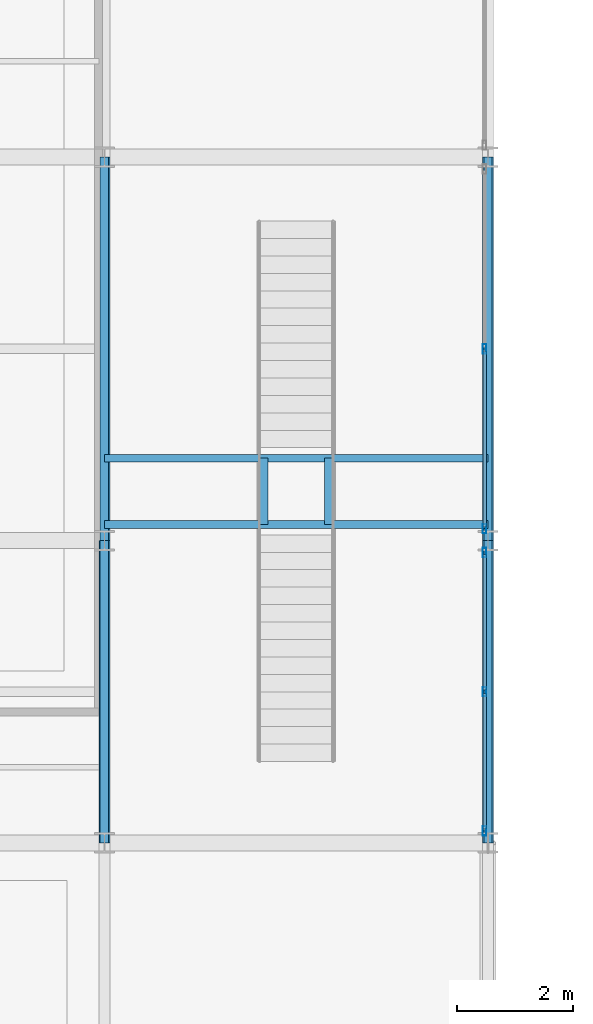
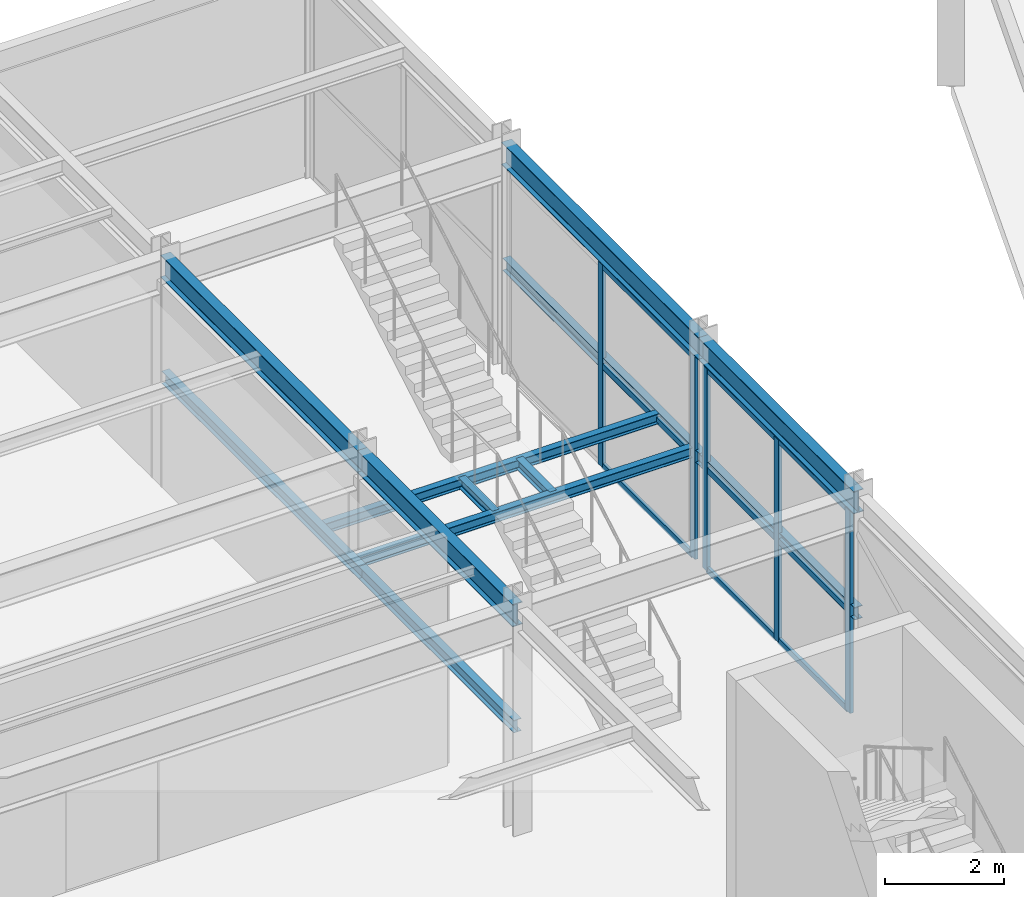
# One storey, part 40 of 144: 14 members, 12 beams, 2 elements without a shape of their own.
"""IFC4 building model written with IfcOpenShell, lengths in metres."""

import ifcopenshell
import ifcopenshell.guid

model = None  # the IFC model being written
_history = None  # IfcOwnerHistory: only IFC2X3 demands one
_inside = {}  # id of a spatial element -> (the spatial element, [elements in it])
_under = {}  # id of a project, library or spatial element -> (it, [spatial elements below it])
_declared = {}  # id of a project -> (the project, [libraries it declares])
_typed = {}  # id of a type object -> (the type object, [elements of that type])
_made_of = {}  # id of a material, layer set ... -> (it, [elements and type objects made of it])


def new_model(schema):
    """Start an empty IFC model of exactly this schema.

    Asked for "IFC4X3", IfcOpenShell would pick the latest addendum, in which some entities
    have other attributes; the version numbers below select the first issue.
    IFC2X3 requires an IfcOwnerHistory on every rooted entity: one is made here for all.
    """
    global model, _history
    if schema == "IFC4X3":
        model = ifcopenshell.file(schema_version=(4, 3, 0, 0))
    else:
        model = ifcopenshell.file(schema=schema)
    _inside.clear()
    _under.clear()
    _declared.clear()
    _typed.clear()
    _made_of.clear()
    _history = None
    if model.schema == "IFC2X3":
        org = make("IfcOrganization", Name="unknown")
        user = make(
            "IfcPersonAndOrganization",
            ThePerson=make("IfcPerson", FamilyName="unknown"),
            TheOrganization=org,
        )
        app = make(
            "IfcApplication",
            ApplicationDeveloper=org,
            Version="unknown",
            ApplicationFullName="unknown",
            ApplicationIdentifier="unknown",
        )
        _history = make(
            "IfcOwnerHistory",
            OwningUser=user,
            OwningApplication=app,
            ChangeAction="ADDED",
            CreationDate=0,
        )
    return model


def make(cls, **values):
    """One entity of the class cls with the attributes given. An attribute that is None is left unset."""
    return model.create_entity(
        cls, **{name: value for name, value in values.items() if value is not None}
    )


def rooted(cls, **values):
    """An entity with a GlobalId (a new one), such as an element, a storey or a relation."""
    return make(cls, GlobalId=ifcopenshell.guid.new(), OwnerHistory=_history, **values)


def si_unit(unit_type, name, prefix=None):
    """IfcSIUnit, for example si_unit("LENGTHUNIT", "METRE", prefix="MILLI")."""
    return make("IfcSIUnit", UnitType=unit_type, Prefix=prefix, Name=name)


def assignment(units):
    """IfcUnitAssignment: the units of a project."""
    return None if units is None else make("IfcUnitAssignment", Units=units)


def point(xyz):
    """IfcCartesianPoint."""
    return None if xyz is None else make("IfcCartesianPoint", Coordinates=xyz)


def direction(xyz):
    """IfcDirection."""
    return None if xyz is None else make("IfcDirection", DirectionRatios=xyz)


def frame(location, z_axis=None, x_axis=None):
    """IfcAxis2Placement3D, a coordinate frame: its origin and axes. An axis left out is left unset."""
    return make(
        "IfcAxis2Placement3D",
        Location=point(location),
        Axis=direction(z_axis),
        RefDirection=direction(x_axis),
    )


def frame_2d(location, x_axis=None):
    """IfcAxis2Placement2D, a coordinate frame in the plane: its origin and x axis."""
    return make(
        "IfcAxis2Placement2D", Location=point(location), RefDirection=direction(x_axis)
    )


def origin():
    """The frame at (0, 0, 0) with its axes left unset."""
    return frame((0.0, 0.0, 0.0))


def origin_2d():
    """The frame at (0, 0) in the plane with its x axis left unset."""
    return frame_2d((0.0, 0.0))


def place(relative_to, where):
    """IfcLocalPlacement: puts the frame where relative to a parent placement (None: the world)."""
    return make(
        "IfcLocalPlacement", PlacementRelTo=relative_to, RelativePlacement=where
    )


def context(
    kind, dimensions, precision=None, world=None, true_north=None, identifier=None
):
    """IfcGeometricRepresentationContext, for example the 3D "Model" context."""
    return make(
        "IfcGeometricRepresentationContext",
        ContextIdentifier=identifier,
        ContextType=kind,
        CoordinateSpaceDimension=dimensions,
        Precision=precision,
        WorldCoordinateSystem=world,
        TrueNorth=true_north,
    )


def subcontext(parent, identifier, kind, view, scale=None):
    """IfcGeometricRepresentationSubContext, for example "Body" below "Model"."""
    return make(
        "IfcGeometricRepresentationSubContext",
        ContextIdentifier=identifier,
        ContextType=kind,
        ParentContext=parent,
        TargetScale=scale,
        TargetView=view,
    )


def project(units=None, contexts=None):
    """IfcProject with its units and contexts."""
    return rooted(
        "IfcProject",
        Name="project",
        RepresentationContexts=contexts,
        UnitsInContext=assignment(units),
    )


def spatial(cls, under=None, at=None, **own):
    """A site, building, storey or space (cls), placed at a placement, below another one or the project."""
    s = rooted(cls, ObjectPlacement=at, **own)
    if under is not None:
        _under.setdefault(under.id(), (under, []))[1].append(s)
    return s


def profile(cls, at=None, kind="AREA", **sizes):
    """A parametric profile (cls). Its sizes go by their IFC names, for example OverallWidth=200.0."""
    return make(cls, ProfileType=kind, Position=at, **sizes)


def hollow_rectangle(**sizes):
    """IfcRectangleHollowProfileDef."""
    return profile("IfcRectangleHollowProfileDef", **sizes)


def i_section(**sizes):
    """IfcIShapeProfileDef."""
    return profile("IfcIShapeProfileDef", **sizes)


def extrude(swept, where, along, depth):
    """IfcExtrudedAreaSolid: the profile swept, set in the frame where, extruded along a direction by depth."""
    return make(
        "IfcExtrudedAreaSolid",
        SweptArea=swept,
        Position=where,
        ExtrudedDirection=direction(along),
        Depth=depth,
    )


def shape(context_of_items, identifier, shape_type, items):
    """IfcShapeRepresentation: the items that make up one representation, for example the "Body"."""
    return make(
        "IfcShapeRepresentation",
        ContextOfItems=context_of_items,
        RepresentationIdentifier=identifier,
        RepresentationType=shape_type,
        Items=items,
    )


def material(Name=None, Category=None):
    """IfcMaterial."""
    return make("IfcMaterial", Name=Name, Category=Category)


def material_profile(
    of_material, cross_section, Name=None, Category=None, Priority=None
):
    """IfcMaterialProfile: a cross section and its material."""
    return make(
        "IfcMaterialProfile",
        Name=Name,
        Material=of_material,
        Profile=cross_section,
        Priority=Priority,
        Category=Category,
    )


def profile_set(profiles, Name=None, composite=None):
    """IfcMaterialProfileSet."""
    return make(
        "IfcMaterialProfileSet",
        Name=Name,
        MaterialProfiles=profiles,
        CompositeProfile=composite,
    )


def made_of(thing, what):
    """Note that an element or type object is made of a material, layer set ...; save() writes the relation."""
    if what is not None:
        _made_of.setdefault(what.id(), (what, []))[1].append(thing)
    return thing


def type_object(cls, material=None, **own):
    """A type object (cls), such as IfcWallType, which elements share."""
    return made_of(rooted(cls, **own), material)


def element(
    cls,
    number,
    at=None,
    inside=None,
    cuts=None,
    type_object=None,
    material=None,
    context=None,
    identifier="Body",
    shape_type=None,
    held_by="IfcProductDefinitionShape",
    body=None,
    shapes=None,
    **own,
):
    """One element of the class cls, such as IfcWall. Its Tag is "e" and its number.

    at: its placement. inside: the storey or other place that contains it. cuts: it is an
    opening in that element (IfcRelVoidsElement). A single representation is given by context,
    identifier, shape_type and body (its items); several are given by shapes. held_by: the class
    of the entity that holds the representations. save() writes the other relations.
    """
    e = rooted(cls, Tag="e%d" % number, ObjectPlacement=at, **own)
    if body is not None:
        shapes = [shape(context, identifier, shape_type, body)]
    if shapes is not None:
        e.Representation = make(held_by, Representations=shapes)
    if inside is not None:
        _inside.setdefault(inside.id(), (inside, []))[1].append(e)
    if cuts is not None:
        rooted(
            "IfcRelVoidsElement", RelatingBuildingElement=cuts, RelatedOpeningElement=e
        )
    if type_object is not None:
        _typed.setdefault(type_object.id(), (type_object, []))[1].append(e)
    return made_of(e, material)


def aggregate(whole, parts):
    """IfcRelAggregates: a whole, such as a stair, and the parts it consists of."""
    return rooted("IfcRelAggregates", RelatingObject=whole, RelatedObjects=parts)


def save(model, path):
    """Write the relations noted so far, then the file.

    IfcRelAggregates (storeys below a building ...), IfcRelContainedInSpatialStructure (elements
    in a storey), IfcRelDefinesByType, IfcRelAssociatesMaterial and IfcRelDeclares: one each for
    every whole, place, type object, material and project.
    """
    for whole, parts in _under.values():
        aggregate(whole, parts)
    for where, things in _inside.values():
        rooted(
            "IfcRelContainedInSpatialStructure",
            RelatedElements=things,
            RelatingStructure=where,
        )
    for kind, things in _typed.values():
        rooted("IfcRelDefinesByType", RelatedObjects=things, RelatingType=kind)
    for what, things in _made_of.values():
        rooted("IfcRelAssociatesMaterial", RelatedObjects=things, RelatingMaterial=what)
    for by, libraries in _declared.values():
        rooted("IfcRelDeclares", RelatingContext=by, RelatedDefinitions=libraries)
    model.write(path)


model = new_model("IFC4")

# Units and contexts
model_context = context("Model", 3, precision=1e-05, world=origin(), true_north=direction((0.0, 1.0)))
body_context = subcontext(model_context, "Body", "Model", "MODEL_VIEW")
ifc_project = project(units=[si_unit("LENGTHUNIT", "METRE"), si_unit("AREAUNIT", "SQUARE_METRE"), si_unit("VOLUMEUNIT", "CUBIC_METRE"), si_unit("PLANEANGLEUNIT", "RADIAN"), si_unit("MASSUNIT", "GRAM", prefix="KILO")], contexts=[model_context])

# Site, building, storey
site_placement = place(None, origin())
site = spatial("IfcSite", under=ifc_project, at=site_placement, CompositionType="ELEMENT")
building_placement = place(site_placement, origin())
building = spatial("IfcBuilding", under=site, at=building_placement, Name="Karori Crest Natural Sciences Institute", CompositionType="ELEMENT")
storey_placement = place(building_placement, origin())
storey = spatial("IfcBuildingStorey", under=building, at=storey_placement, Name="L00", CompositionType="ELEMENT", Elevation=0.0)

# Beams
ifc_material_1 = material(Name="Structural steel AS/NZS 3679.1 Grade 350", Category="steel")
ifc_material_profile_1 = material_profile(ifc_material_1, i_section(OverallWidth=0.19091796875, OverallDepth=0.4599609375, WebThickness=0.010009765625, FlangeThickness=0.01611328125, FilletRadius=0.010986328125, at=origin_2d()), Name="460UB82.1")
ifc_profile_set_1 = profile_set([ifc_material_profile_1], Name="Structural steel AS/NZS 3679.1 Grade 350")
beam_type_1 = type_object("IfcBeamType", Name="BT-06", PredefinedType="BEAM", material=ifc_profile_set_1)
beam_1_placement = place(storey_placement, frame((20.60009765625, 55.0, 4.389892578125), z_axis=(0.0, 1.0, 0.0), x_axis=(-1.0, 0.0, 0.0)))
element("IfcBeam", 1, at=beam_1_placement, inside=storey, type_object=beam_type_1, Name="Beam B-0978", PredefinedType="BEAM", context=body_context, shape_type="SweptSolid", body=[
    extrude(i_section(OverallWidth=0.19091796875, OverallDepth=0.4599609375, WebThickness=0.010009765625, FlangeThickness=0.01611328125, FilletRadius=0.010986328125, at=origin_2d()), origin(), (0.0, 0.0, 1.0), 5.199951171875),
])
beam_2_placement = place(storey_placement, frame((20.60009765625, 60.199951171875, 4.389892578125), z_axis=(0.0, 1.0, 0.0), x_axis=(-1.0, 0.0, 0.0)))
element("IfcBeam", 2, at=beam_2_placement, inside=storey, type_object=beam_type_1, Name="Beam B-0979", PredefinedType="BEAM", context=body_context, shape_type="SweptSolid", body=[
    extrude(i_section(OverallWidth=0.19091796875, OverallDepth=0.4599609375, WebThickness=0.010009765625, FlangeThickness=0.01611328125, FilletRadius=0.010986328125, at=origin_2d()), origin(), (0.0, 0.0, 1.0), 6.60009765625),
])
ifc_material_profile_2 = material_profile(ifc_material_1, i_section(OverallWidth=0.19091796875, OverallDepth=0.4599609375, WebThickness=0.010009765625, FlangeThickness=0.01611328125, FilletRadius=0.010986328125, at=origin_2d()), Name="460UB82.1")
ifc_profile_set_2 = profile_set([ifc_material_profile_2], Name="Structural steel AS/NZS 3679.1 Grade 350")
beam_type_2 = type_object("IfcBeamType", Name="BT-06-EL", PredefinedType="BEAM", material=ifc_profile_set_2)
beam_3_placement = place(storey_placement, frame((27.199951171875, 55.0, 4.389892578125), z_axis=(0.0, 1.0, 0.0), x_axis=(-1.0, 0.0, 0.0)))
element("IfcBeam", 3, at=beam_3_placement, inside=storey, type_object=beam_type_2, Name="Beam B-0985", PredefinedType="BEAM", context=body_context, shape_type="SweptSolid", body=[
    extrude(i_section(OverallWidth=0.19091796875, OverallDepth=0.4599609375, WebThickness=0.010009765625, FlangeThickness=0.01611328125, FilletRadius=0.010986328125, at=origin_2d()), origin(), (0.0, 0.0, 1.0), 5.199951171875),
])
beam_4_placement = place(storey_placement, frame((27.199951171875, 60.199951171875, 4.389892578125), z_axis=(0.0, 1.0, 0.0), x_axis=(-1.0, 0.0, 0.0)))
element("IfcBeam", 4, at=beam_4_placement, inside=storey, type_object=beam_type_2, Name="Beam B-0986", PredefinedType="BEAM", context=body_context, shape_type="SweptSolid", body=[
    extrude(i_section(OverallWidth=0.19091796875, OverallDepth=0.4599609375, WebThickness=0.010009765625, FlangeThickness=0.01611328125, FilletRadius=0.010986328125, at=origin_2d()), origin(), (0.0, 0.0, 1.0), 6.60009765625),
])
ifc_material_profile_3 = material_profile(ifc_material_1, i_section(OverallWidth=0.14599609375, OverallDepth=0.256103515625, WebThickness=0.00634765625, FlangeThickness=0.010986328125, FilletRadius=0.009033203125, at=origin_2d()), Name="250UB37.3")
ifc_profile_set_3 = profile_set([ifc_material_profile_3], Name="Structural steel AS/NZS 3679.1 Grade 350")
beam_type_3 = type_object("IfcBeamType", Name="BT-11-IL", PredefinedType="BEAM", material=ifc_profile_set_3)
beam_5_placement = place(storey_placement, frame((20.60009765625, 55.0, 2.112060546875), z_axis=(0.0, 1.0, 0.0), x_axis=(-1.0, 0.0, 0.0)))
element("IfcBeam", 5, at=beam_5_placement, inside=storey, type_object=beam_type_3, Name="Stair stringer girder ST-11", PredefinedType="BEAM", context=body_context, shape_type="SweptSolid", body=[
    extrude(i_section(OverallWidth=0.14599609375, OverallDepth=0.256103515625, WebThickness=0.00634765625, FlangeThickness=0.010986328125, FilletRadius=0.009033203125, at=origin_2d()), origin(), (0.0, 0.0, 1.0), 5.199951171875),
])
beam_6_placement = place(storey_placement, frame((20.60009765625, 60.199951171875, 2.112060546875), z_axis=(0.0, 1.0, 0.0), x_axis=(-1.0, 0.0, 0.0)))
element("IfcBeam", 6, at=beam_6_placement, inside=storey, type_object=beam_type_3, Name="Stair stringer girder ST-11", PredefinedType="BEAM", context=body_context, shape_type="SweptSolid", body=[
    extrude(i_section(OverallWidth=0.14599609375, OverallDepth=0.256103515625, WebThickness=0.00634765625, FlangeThickness=0.010986328125, FilletRadius=0.009033203125, at=origin_2d()), origin(), (0.0, 0.0, 1.0), 6.60009765625),
])
beam_7_placement = place(storey_placement, frame((27.199951171875, 55.0, 2.112060546875), z_axis=(0.0, 1.0, 0.0), x_axis=(-1.0, 0.0, 0.0)))
element("IfcBeam", 7, at=beam_7_placement, inside=storey, type_object=beam_type_3, Name="Stair stringer girder ST-11", PredefinedType="BEAM", context=body_context, shape_type="SweptSolid", body=[
    extrude(i_section(OverallWidth=0.14599609375, OverallDepth=0.256103515625, WebThickness=0.00634765625, FlangeThickness=0.010986328125, FilletRadius=0.009033203125, at=origin_2d()), origin(), (0.0, 0.0, 1.0), 5.199951171875),
])
beam_8_placement = place(storey_placement, frame((27.199951171875, 60.199951171875, 2.112060546875), z_axis=(0.0, 1.0, 0.0), x_axis=(-1.0, 0.0, 0.0)))
element("IfcBeam", 8, at=beam_8_placement, inside=storey, type_object=beam_type_3, Name="Stair stringer girder ST-11", PredefinedType="BEAM", context=body_context, shape_type="SweptSolid", body=[
    extrude(i_section(OverallWidth=0.14599609375, OverallDepth=0.256103515625, WebThickness=0.00634765625, FlangeThickness=0.010986328125, FilletRadius=0.009033203125, at=origin_2d()), origin(), (0.0, 0.0, 1.0), 6.60009765625),
])
ifc_material_profile_4 = material_profile(ifc_material_1, i_section(OverallWidth=0.134033203125, OverallDepth=0.20703125, WebThickness=0.00634765625, FlangeThickness=0.009521484375, FilletRadius=0.009033203125, at=origin_2d()), Name="200UB29.8")
ifc_profile_set_4 = profile_set([ifc_material_profile_4], Name="Structural steel AS/NZS 3679.1 Grade 350")
beam_type_4 = type_object("IfcBeamType", Name="BT-13-IL", PredefinedType="BEAM", material=ifc_profile_set_4)
for number, where, z_axis, x_axis, name in (
    (9, (20.60009765625, 60.47998046875, 2.135986328125), (1.0, 0.0, 0.0), (0.0, 1.0, 0.0), "Stair landing trimmer ST-11"),
    (10, (20.60009765625, 61.6201171875, 2.135986328125), (1.0, 0.0, 0.0), (0.0, 1.0, 0.0), "Stair landing trimmer ST-11"),
):
    element("IfcBeam", number, at=place(storey_placement, frame(where, z_axis=z_axis, x_axis=x_axis)), inside=storey, type_object=beam_type_4, Name=name, PredefinedType="BEAM", context=body_context, shape_type="SweptSolid", body=[
        extrude(i_section(OverallWidth=0.134033203125, OverallDepth=0.20703125, WebThickness=0.00634765625, FlangeThickness=0.009521484375, FilletRadius=0.009033203125, at=origin_2d()), origin(), (0.0, 0.0, 1.0), 6.599853515625),
    ])
for number, where, z_axis, x_axis, name in (
    (11, (23.344970703125, 60.47998046875, 2.135986328125), (0.0, 1.0, 0.0), (-1.0, 0.0, 0.0), "Stair landing joist ST-11"),
    (12, (24.455078125, 60.47998046875, 2.135986328125), (0.0, 1.0, 0.0), (-1.0, 0.0, 0.0), "Stair landing joist ST-11"),
):
    element("IfcBeam", number, at=place(storey_placement, frame(where, z_axis=z_axis, x_axis=x_axis)), inside=storey, type_object=beam_type_4, Name=name, PredefinedType="BEAM", context=body_context, shape_type="SweptSolid", body=[
        extrude(i_section(OverallWidth=0.134033203125, OverallDepth=0.20703125, WebThickness=0.00634765625, FlangeThickness=0.009521484375, FilletRadius=0.009033203125, at=origin_2d()), origin(), (0.0, 0.0, 1.0), 1.14013671875),
    ])

# Curtain wall, members
ifc_material_2 = material(Name="Anodised architectural aluminium 6063-T6", Category="aluminium")
curtain_wall_type = type_object("IfcCurtainWallType", Name="CWT-18", PredefinedType="NOTDEFINED", material=ifc_material_2)
curtain_wall_1_placement = place(storey_placement, origin())
curtain_wall_1 = element("IfcCurtainWall", 13, at=curtain_wall_1_placement, inside=storey, type_object=curtain_wall_type, Name="Curtain wall CW-0259", PredefinedType="NOTDEFINED")
ifc_material_profile_5 = material_profile(ifc_material_2, hollow_rectangle(XDim=0.06494140625, YDim=0.159912109375, WallThickness=0.00390625, at=origin_2d()), Name="CWM160x65x4")
ifc_profile_set_5 = profile_set([ifc_material_profile_5], Name="Anodised architectural aluminium 6063-T6")
member_type_1 = type_object("IfcMemberType", Name="CWM-01", PredefinedType="MULLION", material=ifc_profile_set_5)
member_1_placement = place(storey_placement, frame((27.139892578125, 59.994384765625, 0.0), z_axis=(0.0, 0.0, 1.0), x_axis=(1.0, 0.0, 0.0)))
member_1 = element("IfcMember", 14, at=member_1_placement, type_object=member_type_1, Name="CW-0259 mullion 1", PredefinedType="MULLION", context=body_context, shape_type="SweptSolid", body=[
    extrude(hollow_rectangle(XDim=0.06494140625, YDim=0.159912109375, WallThickness=0.00390625, at=origin_2d()), origin(), (0.0, 0.0, 1.0), 4.14501953125),
])
member_2_placement = place(storey_placement, frame((27.139892578125, 57.60009765625, 0.0), z_axis=(0.0, 0.0, 1.0), x_axis=(1.0, 0.0, 0.0)))
member_2 = element("IfcMember", 15, at=member_2_placement, type_object=member_type_1, Name="CW-0259 mullion 2", PredefinedType="MULLION", context=body_context, shape_type="SweptSolid", body=[
    extrude(hollow_rectangle(XDim=0.06494140625, YDim=0.159912109375, WallThickness=0.00390625, at=origin_2d()), origin(), (0.0, 0.0, 1.0), 4.14501953125),
])
member_3_placement = place(storey_placement, frame((27.139892578125, 55.20556640625, 0.0), z_axis=(0.0, 0.0, 1.0), x_axis=(1.0, 0.0, 0.0)))
member_3 = element("IfcMember", 16, at=member_3_placement, type_object=member_type_1, Name="CW-0259 mullion 3", PredefinedType="MULLION", context=body_context, shape_type="SweptSolid", body=[
    extrude(hollow_rectangle(XDim=0.06494140625, YDim=0.159912109375, WallThickness=0.00390625, at=origin_2d()), origin(), (0.0, 0.0, 1.0), 4.14501953125),
])

curtain_wall_2_placement = place(storey_placement, origin())
curtain_wall_2 = element("IfcCurtainWall", 17, at=curtain_wall_2_placement, inside=storey, type_object=curtain_wall_type, Name="Curtain wall CW-0260", PredefinedType="NOTDEFINED")
member_4_placement = place(storey_placement, frame((27.139892578125, 63.5, 0.0), z_axis=(0.0, 0.0, 1.0), x_axis=(1.0, 0.0, 0.0)))
member_4 = element("IfcMember", 18, at=member_4_placement, type_object=member_type_1, Name="CW-0260 mullion 2", PredefinedType="MULLION", context=body_context, shape_type="SweptSolid", body=[
    extrude(hollow_rectangle(XDim=0.06494140625, YDim=0.159912109375, WallThickness=0.00390625, at=origin_2d()), origin(), (0.0, 0.0, 1.0), 4.14501953125),
])
member_5_placement = place(storey_placement, frame((27.139892578125, 60.405517578125, 0.0), z_axis=(0.0, 0.0, 1.0), x_axis=(1.0, 0.0, 0.0)))
member_5 = element("IfcMember", 19, at=member_5_placement, type_object=member_type_1, Name="CW-0260 mullion 3", PredefinedType="MULLION", context=body_context, shape_type="SweptSolid", body=[
    extrude(hollow_rectangle(XDim=0.06494140625, YDim=0.159912109375, WallThickness=0.00390625, at=origin_2d()), origin(), (0.0, 0.0, 1.0), 4.14501953125),
])

# Member
ifc_material_profile_6 = material_profile(ifc_material_2, hollow_rectangle(XDim=0.06005859375, YDim=0.1201171875, WallThickness=0.00390625, at=origin_2d()), Name="CWT120x60x4")
ifc_profile_set_6 = profile_set([ifc_material_profile_6], Name="Anodised architectural aluminium 6063-T6")
member_type_2 = type_object("IfcMemberType", Name="CWT-TR1", PredefinedType="USERDEFINED", material=ifc_profile_set_6)
member_6_placement = place(storey_placement, frame((27.139892578125, 59.9619140625, 0.030029296875), z_axis=(0.0, -1.0, 0.0), x_axis=(1.0, 0.0, 0.0)))
member_6 = element("IfcMember", 20, at=member_6_placement, type_object=member_type_2, Name="CW-0259 transom 1.1", ObjectType="TRANSOM", PredefinedType="USERDEFINED", context=body_context, shape_type="SweptSolid", body=[
    extrude(hollow_rectangle(XDim=0.06005859375, YDim=0.1201171875, WallThickness=0.00390625, at=origin_2d()), origin(), (0.0, 0.0, 1.0), 2.329345703125),
])

member_7_placement = place(storey_placement, frame((27.139892578125, 59.9619140625, 2.072509765625), z_axis=(0.0, -1.0, 0.0), x_axis=(1.0, 0.0, 0.0)))
member_7 = element("IfcMember", 21, at=member_7_placement, type_object=member_type_2, Name="CW-0259 transom 1.2", ObjectType="TRANSOM", PredefinedType="USERDEFINED", context=body_context, shape_type="SweptSolid", body=[
    extrude(hollow_rectangle(XDim=0.06005859375, YDim=0.1201171875, WallThickness=0.00390625, at=origin_2d()), origin(), (0.0, 0.0, 1.0), 2.329345703125),
])

member_8_placement = place(storey_placement, frame((27.139892578125, 59.9619140625, 4.114990234375), z_axis=(0.0, -1.0, 0.0), x_axis=(1.0, 0.0, 0.0)))
member_8 = element("IfcMember", 22, at=member_8_placement, type_object=member_type_2, Name="CW-0259 transom 1.3", ObjectType="TRANSOM", PredefinedType="USERDEFINED", context=body_context, shape_type="SweptSolid", body=[
    extrude(hollow_rectangle(XDim=0.06005859375, YDim=0.1201171875, WallThickness=0.00390625, at=origin_2d()), origin(), (0.0, 0.0, 1.0), 2.329345703125),
])

member_9_placement = place(storey_placement, frame((27.139892578125, 57.5673828125, 0.030029296875), z_axis=(0.0, -1.0, 0.0), x_axis=(1.0, 0.0, 0.0)))
member_9 = element("IfcMember", 23, at=member_9_placement, type_object=member_type_2, Name="CW-0259 transom 2.1", ObjectType="TRANSOM", PredefinedType="USERDEFINED", context=body_context, shape_type="SweptSolid", body=[
    extrude(hollow_rectangle(XDim=0.06005859375, YDim=0.1201171875, WallThickness=0.00390625, at=origin_2d()), origin(), (0.0, 0.0, 1.0), 2.329345703125),
])

member_10_placement = place(storey_placement, frame((27.139892578125, 57.5673828125, 2.072509765625), z_axis=(0.0, -1.0, 0.0), x_axis=(1.0, 0.0, 0.0)))
member_10 = element("IfcMember", 24, at=member_10_placement, type_object=member_type_2, Name="CW-0259 transom 2.2", ObjectType="TRANSOM", PredefinedType="USERDEFINED", context=body_context, shape_type="SweptSolid", body=[
    extrude(hollow_rectangle(XDim=0.06005859375, YDim=0.1201171875, WallThickness=0.00390625, at=origin_2d()), origin(), (0.0, 0.0, 1.0), 2.329345703125),
])

member_11_placement = place(storey_placement, frame((27.139892578125, 57.5673828125, 4.114990234375), z_axis=(0.0, -1.0, 0.0), x_axis=(1.0, 0.0, 0.0)))
member_11 = element("IfcMember", 25, at=member_11_placement, type_object=member_type_2, Name="CW-0259 transom 2.3", ObjectType="TRANSOM", PredefinedType="USERDEFINED", context=body_context, shape_type="SweptSolid", body=[
    extrude(hollow_rectangle(XDim=0.06005859375, YDim=0.1201171875, WallThickness=0.00390625, at=origin_2d()), origin(), (0.0, 0.0, 1.0), 2.329345703125),
])

aggregate(curtain_wall_1, [member_1, member_2, member_3, member_6, member_7, member_8, member_9, member_10, member_11])

member_12_placement = place(storey_placement, frame((27.139892578125, 63.467529296875, 0.030029296875), z_axis=(0.0, -1.0, 0.0), x_axis=(1.0, 0.0, 0.0)))
member_12 = element("IfcMember", 26, at=member_12_placement, type_object=member_type_2, Name="CW-0260 transom 2.1", ObjectType="TRANSOM", PredefinedType="USERDEFINED", context=body_context, shape_type="SweptSolid", body=[
    extrude(hollow_rectangle(XDim=0.06005859375, YDim=0.1201171875, WallThickness=0.00390625, at=origin_2d()), origin(), (0.0, 0.0, 1.0), 3.029541015625),
])

member_13_placement = place(storey_placement, frame((27.139892578125, 63.467529296875, 2.072509765625), z_axis=(0.0, -1.0, 0.0), x_axis=(1.0, 0.0, 0.0)))
member_13 = element("IfcMember", 27, at=member_13_placement, type_object=member_type_2, Name="CW-0260 transom 2.2", ObjectType="TRANSOM", PredefinedType="USERDEFINED", context=body_context, shape_type="SweptSolid", body=[
    extrude(hollow_rectangle(XDim=0.06005859375, YDim=0.1201171875, WallThickness=0.00390625, at=origin_2d()), origin(), (0.0, 0.0, 1.0), 3.029541015625),
])

member_14_placement = place(storey_placement, frame((27.139892578125, 63.467529296875, 4.114990234375), z_axis=(0.0, -1.0, 0.0), x_axis=(1.0, 0.0, 0.0)))
member_14 = element("IfcMember", 28, at=member_14_placement, type_object=member_type_2, Name="CW-0260 transom 2.3", ObjectType="TRANSOM", PredefinedType="USERDEFINED", context=body_context, shape_type="SweptSolid", body=[
    extrude(hollow_rectangle(XDim=0.06005859375, YDim=0.1201171875, WallThickness=0.00390625, at=origin_2d()), origin(), (0.0, 0.0, 1.0), 3.029541015625),
])

aggregate(curtain_wall_2, [member_4, member_5, member_12, member_13, member_14])

save(model, "model.ifc")
